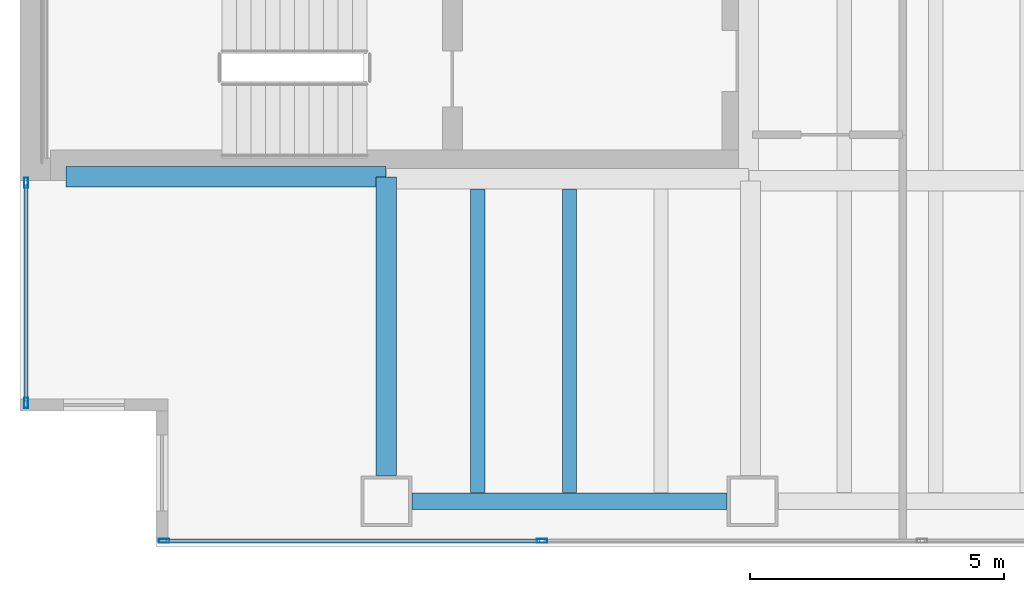
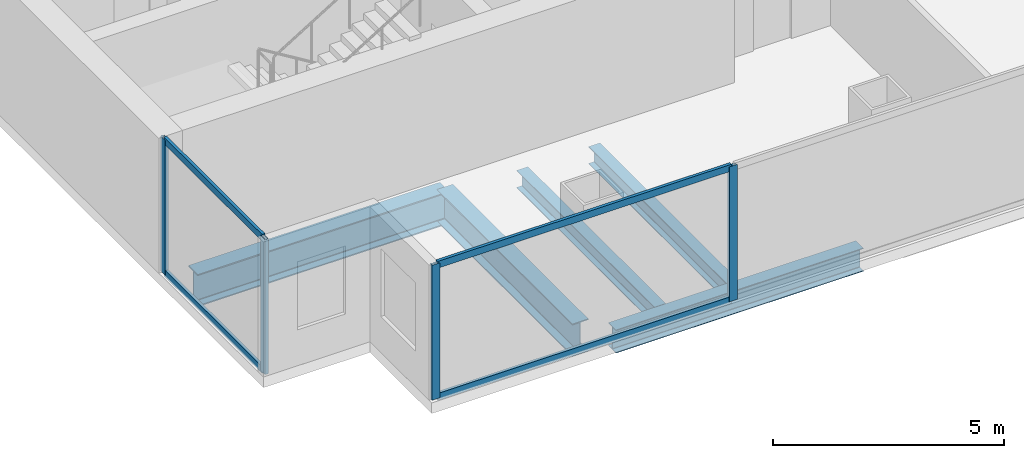
# One storey, part 2 of 23: 8 members, 5 beams, 2 elements without a shape of their own.
"""IFC4 building model written with IfcOpenShell, lengths in metres."""

from ifc_helpers import new_model, si_unit, direction, frame, origin, origin_2d, place, context, subcontext, project, spatial, hollow_rectangle, i_section, extrude, material, material_profile, profile_set, type_object, element, aggregate, save


model = new_model("IFC4")

# Units and contexts
model_context = context("Model", 3, precision=1e-05, world=origin(), true_north=direction((0.0, 1.0)))
body_context = subcontext(model_context, "Body", "Model", "MODEL_VIEW")
ifc_project = project(units=[si_unit("LENGTHUNIT", "METRE"), si_unit("AREAUNIT", "SQUARE_METRE"), si_unit("VOLUMEUNIT", "CUBIC_METRE"), si_unit("PLANEANGLEUNIT", "RADIAN"), si_unit("MASSUNIT", "GRAM", prefix="KILO")], contexts=[model_context])

# Site, building, storey
site_placement = place(None, origin())
site = spatial("IfcSite", under=ifc_project, at=site_placement, CompositionType="ELEMENT")
building_placement = place(site_placement, origin())
building = spatial("IfcBuilding", under=site, at=building_placement, Name="Cobrela Telecom Tower", CompositionType="ELEMENT")
storey_placement = place(building_placement, frame((0.0, 0.0, 50.39990234375)))
storey = spatial("IfcBuildingStorey", under=building, at=storey_placement, Name="L12", CompositionType="ELEMENT", Elevation=50.39990234375)

# Beams
ifc_material_1 = material(Name="Steel ASTM A992 Grade 50", Category="steel")
ifc_material_profile_1 = material_profile(ifc_material_1, i_section(OverallWidth=0.39892578125, OverallDepth=0.85595703125, WebThickness=0.018310546875, FlangeThickness=0.029296875, FilletRadius=0.02001953125, at=origin_2d()), Name="W33X201")
ifc_profile_set_1 = profile_set([ifc_material_profile_1], Name="Steel ASTM A992 Grade 50")
beam_type_1 = type_object("IfcBeamType", Name="BM-GIRD-03", PredefinedType="USERDEFINED", material=ifc_profile_set_1)
beam_1_placement = place(storey_placement, frame((0.905029296875, 7.280029296875, -0.7080078125), z_axis=(1.0, 0.0, 0.0), x_axis=(0.0, 1.0, 0.0)))
element("IfcBeam", 1, at=beam_1_placement, inside=storey, type_object=beam_type_1, Name="L12 Primary Girder X06", ObjectType="GIRDER", PredefinedType="USERDEFINED", context=body_context, shape_type="SweptSolid", body=[
    extrude(i_section(OverallWidth=0.39892578125, OverallDepth=0.85595703125, WebThickness=0.018310546875, FlangeThickness=0.029296875, FilletRadius=0.02001953125, at=origin_2d()), origin(), (0.0, 0.0, 1.0), 6.2900390625),
])
beam_2_placement = place(storey_placement, frame((7.199951171875, 1.405029296875, -0.7080078125), z_axis=(0.0, 1.0, 0.0), x_axis=(-1.0, 0.0, 0.0)))
element("IfcBeam", 2, at=beam_2_placement, inside=storey, type_object=beam_type_1, Name="L12 Primary Girder Y32", ObjectType="GIRDER", PredefinedType="USERDEFINED", context=body_context, shape_type="SweptSolid", body=[
    extrude(i_section(OverallWidth=0.39892578125, OverallDepth=0.85595703125, WebThickness=0.018310546875, FlangeThickness=0.029296875, FilletRadius=0.02001953125, at=origin_2d()), origin(), (0.0, 0.0, 1.0), 5.869873046875),
])
ifc_material_profile_2 = material_profile(ifc_material_1, i_section(OverallWidth=0.281982421875, OverallDepth=0.467041015625, WebThickness=0.01220703125, FlangeThickness=0.01953125, FilletRadius=0.012939453125, at=origin_2d()), Name="W18X86")
ifc_profile_set_2 = profile_set([ifc_material_profile_2], Name="Steel ASTM A992 Grade 50")
beam_type_2 = type_object("IfcBeamType", Name="BM-JOIST-02", PredefinedType="JOIST", material=ifc_profile_set_2)
for number, where, z_axis, x_axis, name in (
    (3, (9.0, 1.0673828125, -0.513427734375), (0.0, 1.0, 0.0), (-1.0, 0.0, 0.0), "L12 Secondary Composite Floor Beam J01"),
    (4, (10.800048828125, 1.0673828125, -0.513427734375), (0.0, 1.0, 0.0), (-1.0, 0.0, 0.0), "L12 Secondary Composite Floor Beam J03"),
):
    element("IfcBeam", number, at=place(storey_placement, frame(where, z_axis=z_axis, x_axis=x_axis)), inside=storey, type_object=beam_type_2, Name=name, PredefinedType="JOIST", context=body_context, shape_type="SweptSolid", body=[
        extrude(i_section(OverallWidth=0.281982421875, OverallDepth=0.467041015625, WebThickness=0.01220703125, FlangeThickness=0.01953125, FilletRadius=0.012939453125, at=origin_2d()), origin(), (0.0, 0.0, 1.0), 5.968017578125),
    ])
ifc_material_profile_3 = material_profile(ifc_material_1, i_section(OverallWidth=0.324951171875, OverallDepth=0.612060546875, WebThickness=0.0126953125, FlangeThickness=0.01904296875, FilletRadius=0.014892578125, at=origin_2d()), Name="W24X104")
ifc_profile_set_3 = profile_set([ifc_material_profile_3], Name="Steel ASTM A992 Grade 50")
beam_type_3 = type_object("IfcBeamType", Name="BM-SPAND-02", PredefinedType="SPANDREL", material=ifc_profile_set_3)
beam_3_placement = place(storey_placement, frame((7.705078125, 0.89990234375, -0.5859375), z_axis=(1.0, 0.0, 0.0), x_axis=(0.0, 1.0, 0.0)))
element("IfcBeam", 5, at=beam_3_placement, inside=storey, type_object=beam_type_3, Name="L12 Perimeter Spandrel X01", PredefinedType="SPANDREL", context=body_context, shape_type="SweptSolid", body=[
    extrude(i_section(OverallWidth=0.324951171875, OverallDepth=0.612060546875, WebThickness=0.0126953125, FlangeThickness=0.01904296875, FilletRadius=0.014892578125, at=origin_2d()), origin(), (0.0, 0.0, 1.0), 6.18994140625),
])

# Curtain wall, members
ifc_material_2 = material(Name="Anodized Bronze Aluminium 6063-T6", Category="aluminium")
curtain_wall_type = type_object("IfcCurtainWallType", Name="CW-SYS-DATA", PredefinedType="USERDEFINED", material=ifc_material_2)
curtain_wall_1_placement = place(storey_placement, origin())
curtain_wall_1 = element("IfcCurtainWall", 6, at=curtain_wall_1_placement, inside=storey, type_object=curtain_wall_type, Name="L12 Unitised Bronze Curtain Wall 03", ObjectType="UNITISED CURTAIN WALL", PredefinedType="USERDEFINED")
ifc_material_profile_4 = material_profile(ifc_material_2, hollow_rectangle(XDim=0.080078125, YDim=0.199951171875, WallThickness=0.00390625, at=origin_2d()), Name="ALU 80x200x4")
ifc_profile_set_4 = profile_set([ifc_material_profile_4], Name="Anodized Bronze Aluminium 6063-T6")
member_type_1 = type_object("IfcMemberType", Name="CW-SYS-DATA-MUL", PredefinedType="MULLION", material=ifc_profile_set_4)
member_1_placement = place(storey_placement, frame((0.1201171875, 2.830078125, 0.0), z_axis=(0.0, 0.0, 1.0), x_axis=(-1.0, 0.0, 0.0)))
member_1 = element("IfcMember", 7, at=member_1_placement, type_object=member_type_1, Name="CW-DATA mullion 1", PredefinedType="MULLION", context=body_context, shape_type="SweptSolid", body=[
    extrude(hollow_rectangle(XDim=0.080078125, YDim=0.199951171875, WallThickness=0.00390625, at=origin_2d()), origin(), (0.0, 0.0, 1.0), 3.570068359375),
])
member_2_placement = place(storey_placement, frame((0.1201171875, 7.159912109375, 0.0), z_axis=(0.0, 0.0, 1.0), x_axis=(-1.0, 0.0, 0.0)))
member_2 = element("IfcMember", 8, at=member_2_placement, type_object=member_type_1, Name="CW-DATA mullion 2", PredefinedType="MULLION", context=body_context, shape_type="SweptSolid", body=[
    extrude(hollow_rectangle(XDim=0.080078125, YDim=0.199951171875, WallThickness=0.00390625, at=origin_2d()), origin(), (0.0, 0.0, 1.0), 3.570068359375),
])

curtain_wall_2_placement = place(storey_placement, origin())
curtain_wall_2 = element("IfcCurtainWall", 9, at=curtain_wall_2_placement, inside=storey, type_object=curtain_wall_type, Name="L12 Unitised Bronze Curtain Wall 17", ObjectType="UNITISED CURTAIN WALL", PredefinedType="USERDEFINED")
member_3_placement = place(storey_placement, frame((10.260009765625, 0.1201171875, 0.0), z_axis=(0.0, 0.0, 1.0), x_axis=(0.0, -1.0, 0.0)))
member_3 = element("IfcMember", 10, at=member_3_placement, type_object=member_type_1, Name="CW-DATA mullion 6", PredefinedType="MULLION", context=body_context, shape_type="SweptSolid", body=[
    extrude(hollow_rectangle(XDim=0.080078125, YDim=0.199951171875, WallThickness=0.00390625, at=origin_2d()), origin(), (0.0, 0.0, 1.0), 3.570068359375),
])
member_4_placement = place(storey_placement, frame((2.830078125, 0.1201171875, 0.0), z_axis=(0.0, 0.0, 1.0), x_axis=(0.0, -1.0, 0.0)))
member_4 = element("IfcMember", 11, at=member_4_placement, type_object=member_type_1, Name="CW-DATA mullion 7", PredefinedType="MULLION", context=body_context, shape_type="SweptSolid", body=[
    extrude(hollow_rectangle(XDim=0.080078125, YDim=0.199951171875, WallThickness=0.00390625, at=origin_2d()), origin(), (0.0, 0.0, 1.0), 3.570068359375),
])

# Member
ifc_material_profile_5 = material_profile(ifc_material_2, hollow_rectangle(XDim=0.074951171875, YDim=0.179931640625, WallThickness=0.00390625, at=origin_2d()), Name="ALU 75x180x4")
ifc_profile_set_5 = profile_set([ifc_material_profile_5], Name="Anodized Bronze Aluminium 6063-T6")
member_type_2 = type_object("IfcMemberType", Name="CW-SYS-DATA-TRN", PredefinedType="USERDEFINED", material=ifc_profile_set_5)
member_5_placement = place(storey_placement, frame((0.1201171875, 2.8701171875, 0.03759765625), z_axis=(0.0, 1.0, 0.0), x_axis=(-1.0, 0.0, 0.0)))
member_5 = element("IfcMember", 12, at=member_5_placement, type_object=member_type_2, Name="CW-DATA transom 1.1", ObjectType="TRANSOM", PredefinedType="USERDEFINED", context=body_context, shape_type="SweptSolid", body=[
    extrude(hollow_rectangle(XDim=0.074951171875, YDim=0.179931640625, WallThickness=0.00390625, at=origin_2d()), origin(), (0.0, 0.0, 1.0), 4.25),
])

member_6_placement = place(storey_placement, frame((0.1201171875, 2.8701171875, 3.53271484375), z_axis=(0.0, 1.0, 0.0), x_axis=(-1.0, 0.0, 0.0)))
member_6 = element("IfcMember", 13, at=member_6_placement, type_object=member_type_2, Name="CW-DATA transom 1.2", ObjectType="TRANSOM", PredefinedType="USERDEFINED", context=body_context, shape_type="SweptSolid", body=[
    extrude(hollow_rectangle(XDim=0.074951171875, YDim=0.179931640625, WallThickness=0.00390625, at=origin_2d()), origin(), (0.0, 0.0, 1.0), 4.25),
])

aggregate(curtain_wall_1, [member_1, member_2, member_5, member_6])

member_7_placement = place(storey_placement, frame((10.219970703125, 0.1201171875, 0.03759765625), z_axis=(-1.0, 0.0, 0.0), x_axis=(0.0, -1.0, 0.0)))
member_7 = element("IfcMember", 14, at=member_7_placement, type_object=member_type_2, Name="CW-DATA transom 6.1", ObjectType="TRANSOM", PredefinedType="USERDEFINED", context=body_context, shape_type="SweptSolid", body=[
    extrude(hollow_rectangle(XDim=0.074951171875, YDim=0.179931640625, WallThickness=0.00390625, at=origin_2d()), origin(), (0.0, 0.0, 1.0), 7.349853515625),
])

member_8_placement = place(storey_placement, frame((10.219970703125, 0.1201171875, 3.53271484375), z_axis=(-1.0, 0.0, 0.0), x_axis=(0.0, -1.0, 0.0)))
member_8 = element("IfcMember", 15, at=member_8_placement, type_object=member_type_2, Name="CW-DATA transom 6.2", ObjectType="TRANSOM", PredefinedType="USERDEFINED", context=body_context, shape_type="SweptSolid", body=[
    extrude(hollow_rectangle(XDim=0.074951171875, YDim=0.179931640625, WallThickness=0.00390625, at=origin_2d()), origin(), (0.0, 0.0, 1.0), 7.349853515625),
])

aggregate(curtain_wall_2, [member_3, member_4, member_7, member_8])

save(model, "model.ifc")
